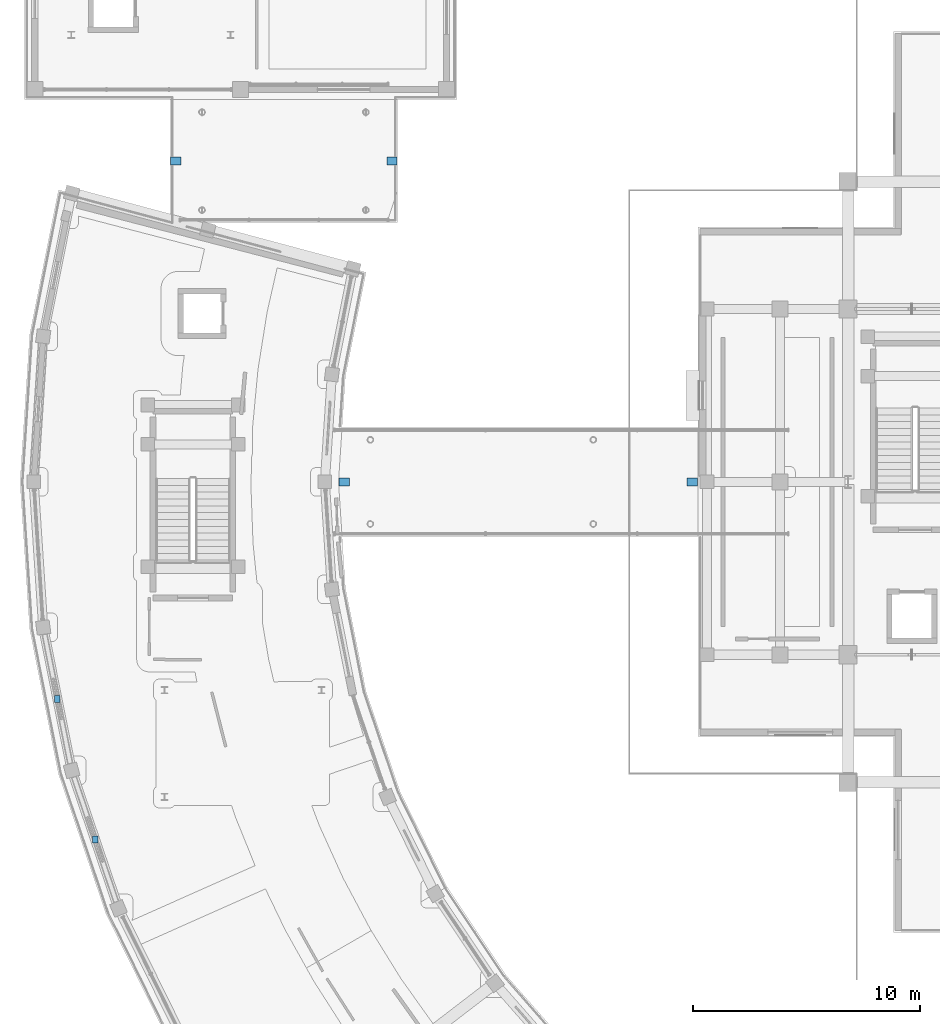
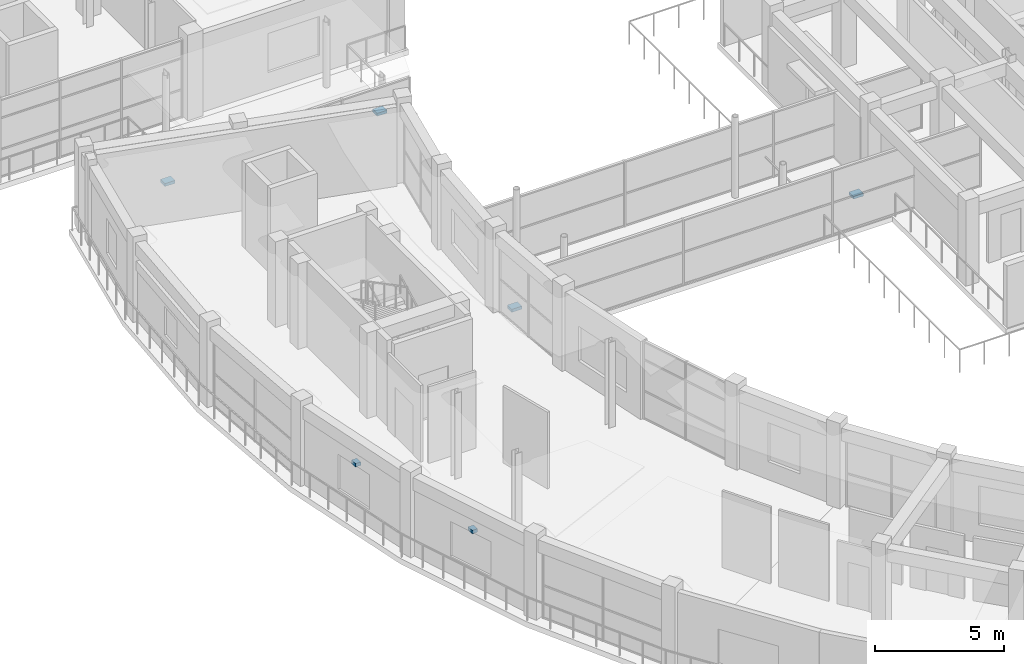
# One storey, part 56 of 72: 6 discrete accessories.
"""IFC4 building model written with IfcOpenShell, lengths in metres."""

import ifcopenshell
import ifcopenshell.guid

model = None  # the IFC model being written
_history = None  # IfcOwnerHistory: only IFC2X3 demands one
_inside = {}  # id of a spatial element -> (the spatial element, [elements in it])
_under = {}  # id of a project, library or spatial element -> (it, [spatial elements below it])
_declared = {}  # id of a project -> (the project, [libraries it declares])
_typed = {}  # id of a type object -> (the type object, [elements of that type])
_made_of = {}  # id of a material, layer set ... -> (it, [elements and type objects made of it])


def new_model(schema):
    """Start an empty IFC model of exactly this schema.

    Asked for "IFC4X3", IfcOpenShell would pick the latest addendum, in which some entities
    have other attributes; the version numbers below select the first issue.
    IFC2X3 requires an IfcOwnerHistory on every rooted entity: one is made here for all.
    """
    global model, _history
    if schema == "IFC4X3":
        model = ifcopenshell.file(schema_version=(4, 3, 0, 0))
    else:
        model = ifcopenshell.file(schema=schema)
    _inside.clear()
    _under.clear()
    _declared.clear()
    _typed.clear()
    _made_of.clear()
    _history = None
    if model.schema == "IFC2X3":
        org = make("IfcOrganization", Name="unknown")
        user = make(
            "IfcPersonAndOrganization",
            ThePerson=make("IfcPerson", FamilyName="unknown"),
            TheOrganization=org,
        )
        app = make(
            "IfcApplication",
            ApplicationDeveloper=org,
            Version="unknown",
            ApplicationFullName="unknown",
            ApplicationIdentifier="unknown",
        )
        _history = make(
            "IfcOwnerHistory",
            OwningUser=user,
            OwningApplication=app,
            ChangeAction="ADDED",
            CreationDate=0,
        )
    return model


def make(cls, **values):
    """One entity of the class cls with the attributes given. An attribute that is None is left unset."""
    return model.create_entity(
        cls, **{name: value for name, value in values.items() if value is not None}
    )


def rooted(cls, **values):
    """An entity with a GlobalId (a new one), such as an element, a storey or a relation."""
    return make(cls, GlobalId=ifcopenshell.guid.new(), OwnerHistory=_history, **values)


def si_unit(unit_type, name, prefix=None):
    """IfcSIUnit, for example si_unit("LENGTHUNIT", "METRE", prefix="MILLI")."""
    return make("IfcSIUnit", UnitType=unit_type, Prefix=prefix, Name=name)


def assignment(units):
    """IfcUnitAssignment: the units of a project."""
    return None if units is None else make("IfcUnitAssignment", Units=units)


def point(xyz):
    """IfcCartesianPoint."""
    return None if xyz is None else make("IfcCartesianPoint", Coordinates=xyz)


def direction(xyz):
    """IfcDirection."""
    return None if xyz is None else make("IfcDirection", DirectionRatios=xyz)


def frame(location, z_axis=None, x_axis=None):
    """IfcAxis2Placement3D, a coordinate frame: its origin and axes. An axis left out is left unset."""
    return make(
        "IfcAxis2Placement3D",
        Location=point(location),
        Axis=direction(z_axis),
        RefDirection=direction(x_axis),
    )


def frame_2d(location, x_axis=None):
    """IfcAxis2Placement2D, a coordinate frame in the plane: its origin and x axis."""
    return make(
        "IfcAxis2Placement2D", Location=point(location), RefDirection=direction(x_axis)
    )


def origin():
    """The frame at (0, 0, 0) with its axes left unset."""
    return frame((0.0, 0.0, 0.0))


def origin_2d():
    """The frame at (0, 0) in the plane with its x axis left unset."""
    return frame_2d((0.0, 0.0))


def place(relative_to, where):
    """IfcLocalPlacement: puts the frame where relative to a parent placement (None: the world)."""
    return make(
        "IfcLocalPlacement", PlacementRelTo=relative_to, RelativePlacement=where
    )


def context(
    kind, dimensions, precision=None, world=None, true_north=None, identifier=None
):
    """IfcGeometricRepresentationContext, for example the 3D "Model" context."""
    return make(
        "IfcGeometricRepresentationContext",
        ContextIdentifier=identifier,
        ContextType=kind,
        CoordinateSpaceDimension=dimensions,
        Precision=precision,
        WorldCoordinateSystem=world,
        TrueNorth=true_north,
    )


def subcontext(parent, identifier, kind, view, scale=None):
    """IfcGeometricRepresentationSubContext, for example "Body" below "Model"."""
    return make(
        "IfcGeometricRepresentationSubContext",
        ContextIdentifier=identifier,
        ContextType=kind,
        ParentContext=parent,
        TargetScale=scale,
        TargetView=view,
    )


def project(units=None, contexts=None):
    """IfcProject with its units and contexts."""
    return rooted(
        "IfcProject",
        Name="project",
        RepresentationContexts=contexts,
        UnitsInContext=assignment(units),
    )


def spatial(cls, under=None, at=None, **own):
    """A site, building, storey or space (cls), placed at a placement, below another one or the project."""
    s = rooted(cls, ObjectPlacement=at, **own)
    if under is not None:
        _under.setdefault(under.id(), (under, []))[1].append(s)
    return s


def profile(cls, at=None, kind="AREA", **sizes):
    """A parametric profile (cls). Its sizes go by their IFC names, for example OverallWidth=200.0."""
    return make(cls, ProfileType=kind, Position=at, **sizes)


def rectangle(**sizes):
    """IfcRectangleProfileDef."""
    return profile("IfcRectangleProfileDef", **sizes)


def extrude(swept, where, along, depth):
    """IfcExtrudedAreaSolid: the profile swept, set in the frame where, extruded along a direction by depth."""
    return make(
        "IfcExtrudedAreaSolid",
        SweptArea=swept,
        Position=where,
        ExtrudedDirection=direction(along),
        Depth=depth,
    )


def shape(context_of_items, identifier, shape_type, items):
    """IfcShapeRepresentation: the items that make up one representation, for example the "Body"."""
    return make(
        "IfcShapeRepresentation",
        ContextOfItems=context_of_items,
        RepresentationIdentifier=identifier,
        RepresentationType=shape_type,
        Items=items,
    )


def material(Name=None, Category=None):
    """IfcMaterial."""
    return make("IfcMaterial", Name=Name, Category=Category)


def made_of(thing, what):
    """Note that an element or type object is made of a material, layer set ...; save() writes the relation."""
    if what is not None:
        _made_of.setdefault(what.id(), (what, []))[1].append(thing)
    return thing


def type_object(cls, material=None, **own):
    """A type object (cls), such as IfcWallType, which elements share."""
    return made_of(rooted(cls, **own), material)


def element(
    cls,
    number,
    at=None,
    inside=None,
    cuts=None,
    type_object=None,
    material=None,
    context=None,
    identifier="Body",
    shape_type=None,
    held_by="IfcProductDefinitionShape",
    body=None,
    shapes=None,
    **own,
):
    """One element of the class cls, such as IfcWall. Its Tag is "e" and its number.

    at: its placement. inside: the storey or other place that contains it. cuts: it is an
    opening in that element (IfcRelVoidsElement). A single representation is given by context,
    identifier, shape_type and body (its items); several are given by shapes. held_by: the class
    of the entity that holds the representations. save() writes the other relations.
    """
    e = rooted(cls, Tag="e%d" % number, ObjectPlacement=at, **own)
    if body is not None:
        shapes = [shape(context, identifier, shape_type, body)]
    if shapes is not None:
        e.Representation = make(held_by, Representations=shapes)
    if inside is not None:
        _inside.setdefault(inside.id(), (inside, []))[1].append(e)
    if cuts is not None:
        rooted(
            "IfcRelVoidsElement", RelatingBuildingElement=cuts, RelatedOpeningElement=e
        )
    if type_object is not None:
        _typed.setdefault(type_object.id(), (type_object, []))[1].append(e)
    return made_of(e, material)


def aggregate(whole, parts):
    """IfcRelAggregates: a whole, such as a stair, and the parts it consists of."""
    return rooted("IfcRelAggregates", RelatingObject=whole, RelatedObjects=parts)


def save(model, path):
    """Write the relations noted so far, then the file.

    IfcRelAggregates (storeys below a building ...), IfcRelContainedInSpatialStructure (elements
    in a storey), IfcRelDefinesByType, IfcRelAssociatesMaterial and IfcRelDeclares: one each for
    every whole, place, type object, material and project.
    """
    for whole, parts in _under.values():
        aggregate(whole, parts)
    for where, things in _inside.values():
        rooted(
            "IfcRelContainedInSpatialStructure",
            RelatedElements=things,
            RelatingStructure=where,
        )
    for kind, things in _typed.values():
        rooted("IfcRelDefinesByType", RelatedObjects=things, RelatingType=kind)
    for what, things in _made_of.values():
        rooted("IfcRelAssociatesMaterial", RelatedObjects=things, RelatingMaterial=what)
    for by, libraries in _declared.values():
        rooted("IfcRelDeclares", RelatingContext=by, RelatedDefinitions=libraries)
    model.write(path)


model = new_model("IFC4")

# Units and contexts
model_context = context("Model", 3, precision=1e-05, world=origin(), true_north=direction((0.0, 1.0)))
body_context = subcontext(model_context, "Body", "Model", "MODEL_VIEW")
ifc_project = project(units=[si_unit("LENGTHUNIT", "METRE"), si_unit("AREAUNIT", "SQUARE_METRE"), si_unit("VOLUMEUNIT", "CUBIC_METRE"), si_unit("PLANEANGLEUNIT", "RADIAN"), si_unit("MASSUNIT", "GRAM", prefix="KILO")], contexts=[model_context])

# Site, building, storey
site_placement = place(None, origin())
site = spatial("IfcSite", under=ifc_project, at=site_placement, CompositionType="ELEMENT")
building_placement = place(site_placement, origin())
building = spatial("IfcBuilding", under=site, at=building_placement, Name="Saryqyr Civic Hall", CompositionType="ELEMENT")
storey_placement = place(building_placement, frame((0.0, 0.0, 17.25)))
storey = spatial("IfcBuildingStorey", under=building, at=storey_placement, Name="L04", CompositionType="ELEMENT", Elevation=17.25)

# Discrete accessories
ifc_material_1 = material(Name="Painted galvanized steel", Category="steel")
discrete_accessory_type_1 = type_object("IfcDiscreteAccessoryType", Name="ENV-BRK-FIN", PredefinedType="BRACKET", material=ifc_material_1)
for number, where, z_axis, x_axis, name in (
    (1, (9.04443359375, 74.461181640625, 2.4599609375), (0.0, 0.0, 1.0), (1.0, 0.0, 0.0), "Solar fin steel bracket V4-L04-03"),
    (2, (10.69970703125, 68.283203125, 2.4599609375), (0.0, 0.0, 1.0), (1.0, 0.0, 0.0), "Solar fin steel bracket V4-L04-04"),
):
    element("IfcDiscreteAccessory", number, at=place(storey_placement, frame(where, z_axis=z_axis, x_axis=x_axis)), inside=storey, type_object=discrete_accessory_type_1, Name=name, PredefinedType="BRACKET", context=body_context, shape_type="SweptSolid", body=[
        extrude(rectangle(XDim=0.239990234375, YDim=0.300048828125, at=origin_2d()), origin(), (0.0, 0.0, 1.0), 0.159912109375),
    ])
ifc_material_2 = material(Name="Steel S355", Category="steel")
discrete_accessory_type_2 = type_object("IfcDiscreteAccessoryType", Name="STR-ACC-PTFE-BRG", PredefinedType="BRACKET", material=ifc_material_2)
for number, where, z_axis, x_axis, name in (
    (3, (14.25, 98.10009765625, -0.35986328125), (0.0, 0.0, 1.0), (1.0, 0.0, 0.0), "Unguided PTFE sliding bridge bearing BR-NW L04 1"),
    (4, (23.75, 98.10009765625, -0.35986328125), (0.0, 0.0, 1.0), (1.0, 0.0, 0.0), "Unguided PTFE sliding bridge bearing BR-NW L04 2"),
    (5, (21.64990234375, 84.0, -0.35986328125), (0.0, 0.0, 1.0), (1.0, 0.0, 0.0), "Unguided PTFE sliding bridge bearing BR-CW L04 1"),
    (6, (36.949951171875, 84.0, -0.35986328125), (0.0, 0.0, 1.0), (1.0, 0.0, 0.0), "Unguided PTFE sliding bridge bearing BR-CW L04 2"),
):
    element("IfcDiscreteAccessory", number, at=place(storey_placement, frame(where, z_axis=z_axis, x_axis=x_axis)), inside=storey, type_object=discrete_accessory_type_2, Name=name, PredefinedType="BRACKET", context=body_context, shape_type="SweptSolid", body=[
        extrude(rectangle(XDim=0.449951171875, YDim=0.35009765625, at=origin_2d()), origin(), (0.0, 0.0, 1.0), 0.139892578125),
    ])

save(model, "model.ifc")
